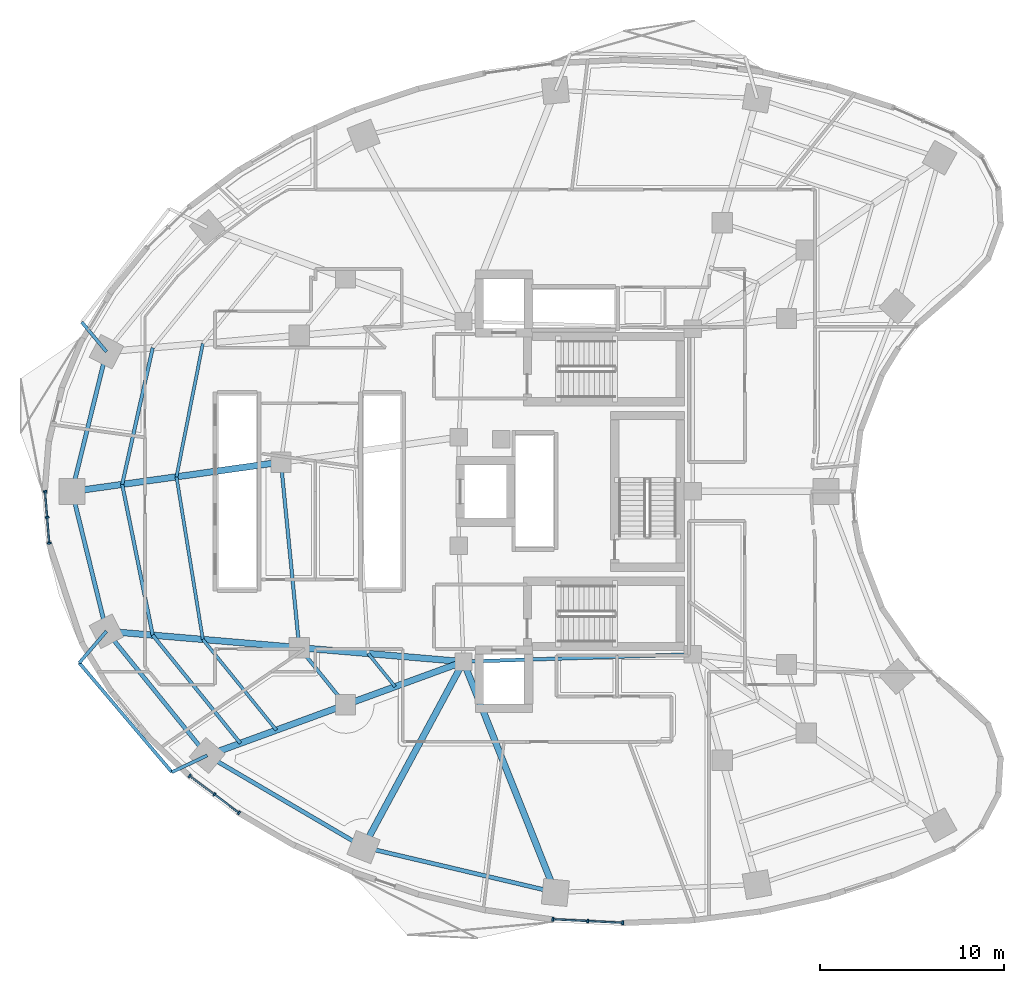
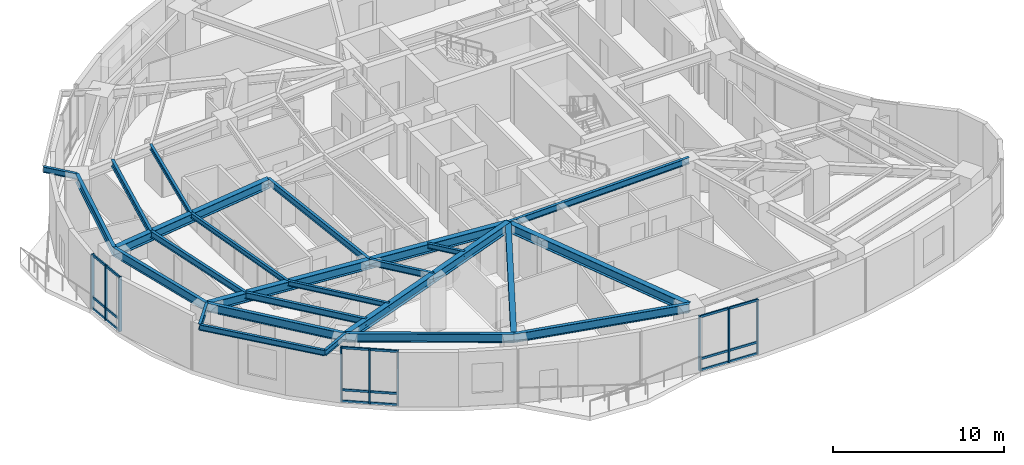
# One storey, part 2 of 16: 27 members, 26 beams, 3 elements without a shape of their own.
"""IFC4 building model written with IfcOpenShell, lengths in metres."""

from ifc_helpers import new_model, si_unit, direction, frame, origin, origin_2d, place, context, subcontext, project, spatial, rectangle, i_section, extrude, material, layer, layer_set, material_profile, profile_set, type_object, element, aggregate, save


model = new_model("IFC4")

# Units and contexts
model_context = context("Model", 3, precision=1e-05, world=origin(), true_north=direction((0.0, 1.0)))
body_context = subcontext(model_context, "Body", "Model", "MODEL_VIEW")
ifc_project = project(units=[si_unit("LENGTHUNIT", "METRE"), si_unit("AREAUNIT", "SQUARE_METRE"), si_unit("VOLUMEUNIT", "CUBIC_METRE"), si_unit("PLANEANGLEUNIT", "RADIAN"), si_unit("MASSUNIT", "GRAM", prefix="KILO")], contexts=[model_context])

# Site, building, storey
site_placement = place(None, origin())
site = spatial("IfcSite", under=ifc_project, at=site_placement, CompositionType="ELEMENT")
building_placement = place(site_placement, origin())
building = spatial("IfcBuilding", under=site, at=building_placement, Name="Korentha Bioscience Tower", CompositionType="ELEMENT")
storey_placement = place(building_placement, frame((0.0, 0.0, 59.39990234375)))
storey = spatial("IfcBuildingStorey", under=building, at=storey_placement, Name="L13", CompositionType="ELEMENT", Elevation=59.39990234375)

# Beams
ifc_material_1 = material(Name="Steel S355", Category="steel")
ifc_material_profile_1 = material_profile(ifc_material_1, i_section(OverallWidth=0.18994140625, OverallDepth=0.45703125, WebThickness=0.009033203125, FlangeThickness=0.014404296875, at=origin_2d()), Name="Steel S355")
ifc_profile_set_1 = profile_set([ifc_material_profile_1], Name="Steel S355 (MB-460)")
beam_type_1 = type_object("IfcBeamType", Name="Mid-Ring Tie Girder W460x74", PredefinedType="BEAM", material=ifc_profile_set_1)
beam_1_placement = place(storey_placement, frame((15.1787109375, 28.593505859375, 3.671630859375), z_axis=(0.098243909277, -0.995162365793, 0.0), x_axis=(0.995162365793, 0.098243909277, 0.0)))
element("IfcBeam", 1, at=beam_1_placement, inside=storey, type_object=beam_type_1, Name="L13 Mid-Ring Tie Girder 07", PredefinedType="BEAM", context=body_context, shape_type="SweptSolid", body=[
    extrude(i_section(OverallWidth=0.18994140625, OverallDepth=0.45703125, WebThickness=0.009033203125, FlangeThickness=0.014404296875, at=origin_2d()), origin(), (0.0, 0.0, 1.0), 10.131591796875),
])
beam_2_placement = place(storey_placement, frame((16.174072265625, 18.510986328125, 3.671630859375), z_axis=(0.629790009744, -0.776765436684, 0.0), x_axis=(0.776765436684, 0.629790009744, 0.0)))
element("IfcBeam", 2, at=beam_2_placement, inside=storey, type_object=beam_type_1, Name="L13 Mid-Ring Tie Girder 08", PredefinedType="BEAM", context=body_context, shape_type="SweptSolid", body=[
    extrude(i_section(OverallWidth=0.18994140625, OverallDepth=0.45703125, WebThickness=0.009033203125, FlangeThickness=0.014404296875, at=origin_2d()), origin(), (0.0, 0.0, 1.0), 3.998291015625),
])
beam_3_placement = place(storey_placement, frame((25.10009765625, 17.75, 3.671630859375), z_axis=(0.999484526071, 0.032104238723, 0.0), x_axis=(-0.032104238723, 0.999484526071, 0.0)))
element("IfcBeam", 3, at=beam_3_placement, inside=storey, type_object=beam_type_1, Name="L13 Core Ring Tie Girder 05", PredefinedType="BEAM", context=body_context, shape_type="SweptSolid", body=[
    extrude(i_section(OverallWidth=0.18994140625, OverallDepth=0.45703125, WebThickness=0.009033203125, FlangeThickness=0.014404296875, at=origin_2d()), origin(), (0.0, 0.0, 1.0), 12.456298828125),
])

# Curtain wall, members
ifc_material_2 = material(Name="Thermally Broken Aluminium Frame", Category="aluminium")
ifc_layer = layer(ifc_material_2, 0.219970703125, Name="Thermally Broken Aluminium Frame")
ifc_layer_set = layer_set([ifc_layer], Name="Thermally Broken Aluminium Frame (CW-T1)")
curtain_wall_type = type_object("IfcCurtainWallType", Name="Standard Bioscience Lab Unitised Curtain Wall CW-T1", PredefinedType="USERDEFINED", material=ifc_layer_set)
curtain_wall_1_placement = place(storey_placement, origin())
curtain_wall_1 = element("IfcCurtainWall", 4, at=curtain_wall_1_placement, inside=storey, type_object=curtain_wall_type, Name="L13 Curtain Wall 19", ObjectType="UNITISED", PredefinedType="USERDEFINED")
ifc_material_3 = material(Name="Anodised Aluminium 6063-T6", Category="aluminium")
ifc_material_profile_2 = material_profile(ifc_material_3, rectangle(XDim=0.090087890625, YDim=0.199951171875, at=origin_2d()), Name="Anodised Aluminium 6063-T6")
ifc_profile_set_2 = profile_set([ifc_material_profile_2], Name="Anodised Aluminium 6063-T6 (CW-MUL)")
member_type_1 = type_object("IfcMemberType", Name="Mullion RECT 90x200", PredefinedType="MULLION", material=ifc_profile_set_2)
member_1_placement = place(storey_placement, frame((2.35986328125, 27.0078125, 0.0), z_axis=(0.0, 0.0, 1.0), x_axis=(0.080820466375, -0.996728675325, 0.0)))
member_1 = element("IfcMember", 5, at=member_1_placement, type_object=member_type_1, Name="CW-L13-19 Mullion 1", PredefinedType="MULLION", context=body_context, shape_type="SweptSolid", body=[
    extrude(rectangle(XDim=0.090087890625, YDim=0.199951171875, at=origin_2d()), origin(), (0.0, 0.0, 1.0), 3.900146484375),
])
member_2_placement = place(storey_placement, frame((2.474365234375, 25.597412109375, 0.0), z_axis=(0.0, 0.0, 1.0), x_axis=(0.080820466375, -0.996728675325, 0.0)))
member_2 = element("IfcMember", 6, at=member_2_placement, type_object=member_type_1, Name="CW-L13-19 Mullion 2", PredefinedType="MULLION", context=body_context, shape_type="SweptSolid", body=[
    extrude(rectangle(XDim=0.090087890625, YDim=0.199951171875, at=origin_2d()), origin(), (0.0, 0.0, 1.0), 3.900146484375),
])
member_3_placement = place(storey_placement, frame((2.588623046875, 24.187255859375, 0.0), z_axis=(0.0, 0.0, 1.0), x_axis=(0.080820466375, -0.996728675325, 0.0)))
member_3 = element("IfcMember", 7, at=member_3_placement, type_object=member_type_1, Name="CW-L13-19 Mullion 3", PredefinedType="MULLION", context=body_context, shape_type="SweptSolid", body=[
    extrude(rectangle(XDim=0.090087890625, YDim=0.199951171875, at=origin_2d()), origin(), (0.0, 0.0, 1.0), 3.900146484375),
])

curtain_wall_2_placement = place(storey_placement, origin())
curtain_wall_2 = element("IfcCurtainWall", 8, at=curtain_wall_2_placement, inside=storey, type_object=curtain_wall_type, Name="L13 Curtain Wall 25", ObjectType="UNITISED", PredefinedType="USERDEFINED")
member_4_placement = place(storey_placement, frame((10.2216796875, 11.538818359375, 0.0), z_axis=(0.0, 0.0, 1.0), x_axis=(0.800797909614, -0.598934644145, 0.0)))
member_4 = element("IfcMember", 9, at=member_4_placement, type_object=member_type_1, Name="CW-L13-25 Mullion 1", PredefinedType="MULLION", context=body_context, shape_type="SweptSolid", body=[
    extrude(rectangle(XDim=0.090087890625, YDim=0.199951171875, at=origin_2d()), origin(), (0.0, 0.0, 1.0), 3.900146484375),
])
member_5_placement = place(storey_placement, frame((11.5634765625, 10.53515625, 0.0), z_axis=(0.0, 0.0, 1.0), x_axis=(0.800797909614, -0.598934644145, 0.0)))
member_5 = element("IfcMember", 10, at=member_5_placement, type_object=member_type_1, Name="CW-L13-25 Mullion 2", PredefinedType="MULLION", context=body_context, shape_type="SweptSolid", body=[
    extrude(rectangle(XDim=0.090087890625, YDim=0.199951171875, at=origin_2d()), origin(), (0.0, 0.0, 1.0), 3.900146484375),
])
member_6_placement = place(storey_placement, frame((12.9052734375, 9.53173828125, 0.0), z_axis=(0.0, 0.0, 1.0), x_axis=(0.800797909614, -0.598934644145, 0.0)))
member_6 = element("IfcMember", 11, at=member_6_placement, type_object=member_type_1, Name="CW-L13-25 Mullion 3", PredefinedType="MULLION", context=body_context, shape_type="SweptSolid", body=[
    extrude(rectangle(XDim=0.090087890625, YDim=0.199951171875, at=origin_2d()), origin(), (0.0, 0.0, 1.0), 3.900146484375),
])

curtain_wall_3_placement = place(storey_placement, origin())
curtain_wall_3 = element("IfcCurtainWall", 12, at=curtain_wall_3_placement, inside=storey, type_object=curtain_wall_type, Name="L13 Curtain Wall 31", ObjectType="UNITISED", PredefinedType="USERDEFINED")
member_7_placement = place(storey_placement, frame((29.9541015625, 3.75244140625, 0.0), z_axis=(0.0, 0.0, 1.0), x_axis=(0.998730551641, -0.050371472279, 0.0)))
member_7 = element("IfcMember", 13, at=member_7_placement, type_object=member_type_1, Name="CW-L13-31 Mullion 1", PredefinedType="MULLION", context=body_context, shape_type="SweptSolid", body=[
    extrude(rectangle(XDim=0.090087890625, YDim=0.199951171875, at=origin_2d()), origin(), (0.0, 0.0, 1.0), 3.900146484375),
])
member_8_placement = place(storey_placement, frame((31.855224609375, 3.656494140625, 0.0), z_axis=(0.0, 0.0, 1.0), x_axis=(0.998730551641, -0.050371472279, 0.0)))
member_8 = element("IfcMember", 14, at=member_8_placement, type_object=member_type_1, Name="CW-L13-31 Mullion 2", PredefinedType="MULLION", context=body_context, shape_type="SweptSolid", body=[
    extrude(rectangle(XDim=0.090087890625, YDim=0.199951171875, at=origin_2d()), origin(), (0.0, 0.0, 1.0), 3.900146484375),
])
member_9_placement = place(storey_placement, frame((33.75634765625, 3.560791015625, 0.0), z_axis=(0.0, 0.0, 1.0), x_axis=(0.998730551641, -0.050371472279, 0.0)))
member_9 = element("IfcMember", 15, at=member_9_placement, type_object=member_type_1, Name="CW-L13-31 Mullion 3", PredefinedType="MULLION", context=body_context, shape_type="SweptSolid", body=[
    extrude(rectangle(XDim=0.090087890625, YDim=0.199951171875, at=origin_2d()), origin(), (0.0, 0.0, 1.0), 3.900146484375),
])

# Beams
ifc_material_profile_3 = material_profile(ifc_material_1, i_section(OverallWidth=0.22802734375, OverallDepth=0.60791015625, WebThickness=0.01123046875, FlangeThickness=0.017333984375, at=origin_2d()), Name="Steel S355")
ifc_profile_set_3 = profile_set([ifc_material_profile_3], Name="Steel S355 (SB-610)")
beam_type_2 = type_object("IfcBeamType", Name="Perimeter Ring Spandrel Girder W610x113", PredefinedType="SPANDREL", material=ifc_profile_set_3)
beam_4_placement = place(storey_placement, frame((5.69580078125, 34.595703125, 3.59619140625), z_axis=(-0.239119105624, -0.970990243682, 0.0), x_axis=(0.970990243682, -0.239119105624, 0.0)))
element("IfcBeam", 16, at=beam_4_placement, inside=storey, type_object=beam_type_2, Name="L13 Perimeter Spandrel Girder 06", PredefinedType="SPANDREL", context=body_context, shape_type="SweptSolid", body=[
    extrude(i_section(OverallWidth=0.22802734375, OverallDepth=0.60791015625, WebThickness=0.01123046875, FlangeThickness=0.017333984375, at=origin_2d()), origin(), (0.0, 0.0, 1.0), 7.82177734375),
])
beam_5_placement = place(storey_placement, frame((3.825439453125, 27.000732421875, 3.59619140625), z_axis=(0.23907563132, -0.971000948768, 0.0), x_axis=(0.971000948768, 0.23907563132, 0.0)))
element("IfcBeam", 17, at=beam_5_placement, inside=storey, type_object=beam_type_2, Name="L13 Perimeter Spandrel Girder 07", PredefinedType="SPANDREL", context=body_context, shape_type="SweptSolid", body=[
    extrude(i_section(OverallWidth=0.22802734375, OverallDepth=0.60791015625, WebThickness=0.01123046875, FlangeThickness=0.017333984375, at=origin_2d()), origin(), (0.0, 0.0, 1.0), 7.8232421875),
])
beam_6_placement = place(storey_placement, frame((5.69580078125, 19.404296875, 3.59619140625), z_axis=(0.629799210231, -0.776757976974, 0.0), x_axis=(0.776757976974, 0.629799210231, 0.0)))
element("IfcBeam", 18, at=beam_6_placement, inside=storey, type_object=beam_type_2, Name="L13 Perimeter Spandrel Girder 08", PredefinedType="SPANDREL", context=body_context, shape_type="SweptSolid", body=[
    extrude(i_section(OverallWidth=0.22802734375, OverallDepth=0.60791015625, WebThickness=0.01123046875, FlangeThickness=0.017333984375, at=origin_2d()), origin(), (0.0, 0.0, 1.0), 8.69189453125),
])
beam_7_placement = place(storey_placement, frame((11.169921875, 12.65283203125, 3.59619140625), z_axis=(0.862656574181, -0.505790109653, 0.0), x_axis=(0.505790109653, 0.862656574181, 0.0)))
element("IfcBeam", 19, at=beam_7_placement, inside=storey, type_object=beam_type_2, Name="L13 Perimeter Spandrel Girder 09", PredefinedType="SPANDREL", context=body_context, shape_type="SweptSolid", body=[
    extrude(i_section(OverallWidth=0.22802734375, OverallDepth=0.60791015625, WebThickness=0.01123046875, FlangeThickness=0.017333984375, at=origin_2d()), origin(), (0.0, 0.0, 1.0), 9.849365234375),
])
beam_8_placement = place(storey_placement, frame((19.66650390625, 7.671142578125, 3.59619140625), z_axis=(0.973207885376, -0.229926970672, 0.0), x_axis=(0.229926970672, 0.973207885376, 0.0)))
element("IfcBeam", 20, at=beam_8_placement, inside=storey, type_object=beam_type_2, Name="L13 Perimeter Spandrel Girder 10", PredefinedType="SPANDREL", context=body_context, shape_type="SweptSolid", body=[
    extrude(i_section(OverallWidth=0.22802734375, OverallDepth=0.60791015625, WebThickness=0.01123046875, FlangeThickness=0.017333984375, at=origin_2d()), origin(), (0.0, 0.0, 1.0), 10.71484375),
])
ifc_material_profile_4 = material_profile(ifc_material_1, i_section(OverallWidth=0.18994140625, OverallDepth=0.45703125, WebThickness=0.009033203125, FlangeThickness=0.014404296875, at=origin_2d()), Name="Steel S355")
ifc_profile_set_4 = profile_set([ifc_material_profile_4], Name="Steel S355 (RB-460)")
beam_type_3 = type_object("IfcBeamType", Name="Radial Laboratory Beam W460x74", PredefinedType="BEAM", material=ifc_profile_set_4)
beam_9_placement = place(storey_placement, frame((8.21044921875, 34.81005859375, 3.671630859375), z_axis=(-0.218146323162, -0.975916073077, 0.0), x_axis=(0.975916073077, -0.218146323162, 0.0)))
element("IfcBeam", 21, at=beam_9_placement, inside=storey, type_object=beam_type_3, Name="L13 Secondary Floor Beam JSTO-06", PredefinedType="BEAM", context=body_context, shape_type="SweptSolid", body=[
    extrude(i_section(OverallWidth=0.18994140625, OverallDepth=0.45703125, WebThickness=0.009033203125, FlangeThickness=0.014404296875, at=origin_2d()), origin(), (0.0, 0.0, 1.0), 7.6103515625),
])
beam_10_placement = place(storey_placement, frame((6.55029296875, 27.383056640625, 3.671630859375), z_axis=(0.198592296955, -0.980082190222, 0.0), x_axis=(0.980082190222, 0.198592296955, 0.0)))
element("IfcBeam", 22, at=beam_10_placement, inside=storey, type_object=beam_type_3, Name="L13 Secondary Floor Beam JSTO-07", PredefinedType="BEAM", context=body_context, shape_type="SweptSolid", body=[
    extrude(i_section(OverallWidth=0.18994140625, OverallDepth=0.45703125, WebThickness=0.009033203125, FlangeThickness=0.014404296875, at=origin_2d()), origin(), (0.0, 0.0, 1.0), 8.359619140625),
])
beam_11_placement = place(storey_placement, frame((8.21044921875, 19.18994140625, 3.671630859375), z_axis=(0.629797748553, -0.776759162107, 0.0), x_axis=(0.776759162107, 0.629797748553, 0.0)))
element("IfcBeam", 23, at=beam_11_placement, inside=storey, type_object=beam_type_3, Name="L13 Secondary Floor Beam JSTO-08", PredefinedType="BEAM", context=body_context, shape_type="SweptSolid", body=[
    extrude(i_section(OverallWidth=0.18994140625, OverallDepth=0.45703125, WebThickness=0.009033203125, FlangeThickness=0.014404296875, at=origin_2d()), origin(), (0.0, 0.0, 1.0), 7.5654296875),
])
ifc_material_profile_5 = material_profile(ifc_material_1, i_section(OverallWidth=0.35009765625, OverallDepth=0.64990234375, WebThickness=0.01611328125, FlangeThickness=0.02490234375, at=origin_2d()), Name="Steel S355")
ifc_profile_set_5 = profile_set([ifc_material_profile_5], Name="Steel S355 (RB-650)")
beam_type_4 = type_object("IfcBeamType", Name="Radial Laboratory Girder CVS 650x208", PredefinedType="BEAM", material=ifc_profile_set_5)
beam_12_placement = place(storey_placement, frame((15.1787109375, 28.593505859375, 3.5751953125), z_axis=(-0.99030199745, -0.138931471762, 0.0), x_axis=(0.138931471762, -0.99030199745, 0.0)))
element("IfcBeam", 24, at=beam_12_placement, inside=storey, type_object=beam_type_4, Name="L13 Outer Radial Girder 07", PredefinedType="BEAM", context=body_context, shape_type="SweptSolid", body=[
    extrude(i_section(OverallWidth=0.35009765625, OverallDepth=0.64990234375, WebThickness=0.01611328125, FlangeThickness=0.02490234375, at=origin_2d()), origin(), (0.0, 0.0, 1.0), 11.46435546875),
])
beam_13_placement = place(storey_placement, frame((25.10009765625, 17.75, 3.5751953125), z_axis=(-0.996385503026, 0.08494662654, 0.0), x_axis=(-0.08494662654, -0.996385503026, 0.0)))
element("IfcBeam", 25, at=beam_13_placement, inside=storey, type_object=beam_type_4, Name="L13 Inner Radial Girder 08", PredefinedType="BEAM", context=body_context, shape_type="SweptSolid", body=[
    extrude(i_section(OverallWidth=0.35009765625, OverallDepth=0.64990234375, WebThickness=0.01611328125, FlangeThickness=0.02490234375, at=origin_2d()), origin(), (0.0, 0.0, 1.0), 8.95849609375),
])
beam_14_placement = place(storey_placement, frame((16.174072265625, 18.510986328125, 3.5751953125), z_axis=(-0.996385601055, 0.084945476695, 0.0), x_axis=(-0.084945476695, -0.996385601055, 0.0)))
element("IfcBeam", 26, at=beam_14_placement, inside=storey, type_object=beam_type_4, Name="L13 Outer Radial Girder 08", PredefinedType="BEAM", context=body_context, shape_type="SweptSolid", body=[
    extrude(i_section(OverallWidth=0.35009765625, OverallDepth=0.64990234375, WebThickness=0.01611328125, FlangeThickness=0.02490234375, at=origin_2d()), origin(), (0.0, 0.0, 1.0), 10.516357421875),
])
beam_15_placement = place(storey_placement, frame((25.10009765625, 17.75, 3.5751953125), z_axis=(-0.939106237741, -0.343626940498, 0.0), x_axis=(0.343626940498, -0.939106237741, 0.0)))
element("IfcBeam", 27, at=beam_15_placement, inside=storey, type_object=beam_type_4, Name="L13 Inner Radial Girder 09", PredefinedType="BEAM", context=body_context, shape_type="SweptSolid", body=[
    extrude(i_section(OverallWidth=0.35009765625, OverallDepth=0.64990234375, WebThickness=0.01611328125, FlangeThickness=0.02490234375, at=origin_2d()), origin(), (0.0, 0.0, 1.0), 6.823486328125),
])
beam_16_placement = place(storey_placement, frame((18.692138671875, 15.4052734375, 3.5751953125), z_axis=(-0.939106299948, -0.343626770491, 0.0), x_axis=(0.343626770491, -0.939106299948, 0.0)))
element("IfcBeam", 28, at=beam_16_placement, inside=storey, type_object=beam_type_4, Name="L13 Outer Radial Girder 09", PredefinedType="BEAM", context=body_context, shape_type="SweptSolid", body=[
    extrude(i_section(OverallWidth=0.35009765625, OverallDepth=0.64990234375, WebThickness=0.01611328125, FlangeThickness=0.02490234375, at=origin_2d()), origin(), (0.0, 0.0, 1.0), 8.010009765625),
])
beam_17_placement = place(storey_placement, frame((25.10009765625, 17.75, 3.5751953125), z_axis=(-0.47454097106, -0.880233416081, 0.0), x_axis=(0.880233416081, -0.47454097106, 0.0)))
element("IfcBeam", 29, at=beam_17_placement, inside=storey, type_object=beam_type_4, Name="L13 Radial Girder 10", PredefinedType="BEAM", context=body_context, shape_type="SweptSolid", body=[
    extrude(i_section(OverallWidth=0.35009765625, OverallDepth=0.64990234375, WebThickness=0.01611328125, FlangeThickness=0.02490234375, at=origin_2d()), origin(), (0.0, 0.0, 1.0), 11.4501953125),
])
beam_18_placement = place(storey_placement, frame((25.10009765625, 17.75, 3.5751953125), z_axis=(0.369931007413, -0.929059228335, 0.0), x_axis=(0.929059228335, 0.369931007413, 0.0)))
element("IfcBeam", 30, at=beam_18_placement, inside=storey, type_object=beam_type_4, Name="L13 Radial Girder 11", PredefinedType="BEAM", context=body_context, shape_type="SweptSolid", body=[
    extrude(i_section(OverallWidth=0.35009765625, OverallDepth=0.64990234375, WebThickness=0.01611328125, FlangeThickness=0.02490234375, at=origin_2d()), origin(), (0.0, 0.0, 1.0), 13.500244140625),
])
ifc_material_profile_6 = material_profile(ifc_material_1, i_section(OverallWidth=0.1708984375, OverallDepth=0.35498046875, WebThickness=0.007080078125, FlangeThickness=0.01171875, at=origin_2d()), Name="Steel S355")
ifc_profile_set_6 = profile_set([ifc_material_profile_6], Name="Steel S355 (JB-360)")
beam_type_5 = type_object("IfcBeamType", Name="Secondary Laboratory Joist W360x51", PredefinedType="JOIST", material=ifc_profile_set_6)
beam_19_placement = place(storey_placement, frame((10.934814453125, 35.042236328125, 3.72265625), z_axis=(-0.193979665978, -0.981005550029, 0.0), x_axis=(0.981005550029, -0.193979665978, 0.0)))
element("IfcBeam", 31, at=beam_19_placement, inside=storey, type_object=beam_type_5, Name="L13 Secondary Floor Beam JST-06", PredefinedType="JOIST", context=body_context, shape_type="SweptSolid", body=[
    extrude(i_section(OverallWidth=0.1708984375, OverallDepth=0.35498046875, WebThickness=0.007080078125, FlangeThickness=0.01171875, at=origin_2d()), origin(), (0.0, 0.0, 1.0), 7.385498046875),
])
beam_20_placement = place(storey_placement, frame((9.502197265625, 27.797119140625, 3.72265625), z_axis=(0.159984999905, -0.987119445561, 0.0), x_axis=(0.987119445561, 0.159984999905, 0.0)))
element("IfcBeam", 32, at=beam_20_placement, inside=storey, type_object=beam_type_5, Name="L13 Secondary Floor Beam JST-07", PredefinedType="JOIST", context=body_context, shape_type="SweptSolid", body=[
    extrude(i_section(OverallWidth=0.1708984375, OverallDepth=0.35498046875, WebThickness=0.007080078125, FlangeThickness=0.01171875, at=origin_2d()), origin(), (0.0, 0.0, 1.0), 8.95458984375),
])
beam_21_placement = place(storey_placement, frame((10.934814453125, 18.957763671875, 3.72265625), z_axis=(0.629786899984, -0.776767958021, 0.0), x_axis=(0.776767958021, 0.629786899984, 0.0)))
element("IfcBeam", 33, at=beam_21_placement, inside=storey, type_object=beam_type_5, Name="L13 Secondary Floor Beam JST-08", PredefinedType="JOIST", context=body_context, shape_type="SweptSolid", body=[
    extrude(i_section(OverallWidth=0.1708984375, OverallDepth=0.35498046875, WebThickness=0.007080078125, FlangeThickness=0.01171875, at=origin_2d()), origin(), (0.0, 0.0, 1.0), 6.34521484375),
])
beam_22_placement = place(storey_placement, frame((19.9228515625, 18.19140625, 3.72265625), z_axis=(0.629791657613, -0.776764100613, 0.0), x_axis=(0.776764100613, 0.629791657613, 0.0)))
element("IfcBeam", 34, at=beam_22_placement, inside=storey, type_object=beam_type_5, Name="L13 Inner Bay Joist 08", PredefinedType="JOIST", context=body_context, shape_type="SweptSolid", body=[
    extrude(i_section(OverallWidth=0.1708984375, OverallDepth=0.35498046875, WebThickness=0.007080078125, FlangeThickness=0.01171875, at=origin_2d()), origin(), (0.0, 0.0, 1.0), 2.31884765625),
])
ifc_material_profile_7 = material_profile(ifc_material_1, i_section(OverallWidth=0.177978515625, OverallDepth=0.406982421875, WebThickness=0.0078125, FlangeThickness=0.0126953125, at=origin_2d()), Name="Steel S355")
ifc_profile_set_7 = profile_set([ifc_material_profile_7], Name="Steel S355 (CB-410)")
beam_type_6 = type_object("IfcBeamType", Name="Sun-Ledge Cantilever Beam W410x60", PredefinedType="BEAM", material=ifc_profile_set_7)
beam_23_placement = place(storey_placement, frame((5.69580078125, 34.595703125, 3.698486328125), z_axis=(-0.640333447696, 0.768097048401, 0.0), x_axis=(-0.768097048401, -0.640333447696, 0.0)))
element("IfcBeam", 35, at=beam_23_placement, inside=storey, type_object=beam_type_6, Name="L13 Balcony Cantilever Bracket B-L14-02", PredefinedType="BEAM", context=body_context, shape_type="SweptSolid", body=[
    extrude(i_section(OverallWidth=0.177978515625, OverallDepth=0.406982421875, WebThickness=0.0078125, FlangeThickness=0.0126953125, at=origin_2d()), origin(), (0.0, 0.0, 1.0), 2.09423828125),
])
beam_24_placement = place(storey_placement, frame((5.69580078125, 19.404296875, 3.698486328125), z_axis=(-0.651766743288, -0.758419483099, 0.0), x_axis=(0.758419483099, -0.651766743288, 0.0)))
element("IfcBeam", 36, at=beam_24_placement, inside=storey, type_object=beam_type_6, Name="L13 Balcony Cantilever Bracket A-L14-03", PredefinedType="BEAM", context=body_context, shape_type="SweptSolid", body=[
    extrude(i_section(OverallWidth=0.177978515625, OverallDepth=0.406982421875, WebThickness=0.0078125, FlangeThickness=0.0126953125, at=origin_2d()), origin(), (0.0, 0.0, 1.0), 2.26611328125),
])
beam_25_placement = place(storey_placement, frame((11.169921875, 12.65283203125, 3.698486328125), z_axis=(-0.903735494396, -0.428091294199, 0.0), x_axis=(0.428091294199, -0.903735494396, 0.0)))
element("IfcBeam", 37, at=beam_25_placement, inside=storey, type_object=beam_type_6, Name="L13 Balcony Cantilever Bracket B-L14-03", PredefinedType="BEAM", context=body_context, shape_type="SweptSolid", body=[
    extrude(i_section(OverallWidth=0.177978515625, OverallDepth=0.406982421875, WebThickness=0.0078125, FlangeThickness=0.0126953125, at=origin_2d()), origin(), (0.0, 0.0, 1.0), 2.120361328125),
])
beam_26_placement = place(storey_placement, frame((4.21875, 17.685546875, 3.698486328125), z_axis=(0.646570249962, -0.762854449987, 0.0), x_axis=(0.762854449987, 0.646570249962, 0.0)))
element("IfcBeam", 38, at=beam_26_placement, inside=storey, type_object=beam_type_6, Name="L13 Balcony Edge Trimmer Beam L14-03", PredefinedType="BEAM", context=body_context, shape_type="SweptSolid", body=[
    extrude(i_section(OverallWidth=0.177978515625, OverallDepth=0.406982421875, WebThickness=0.0078125, FlangeThickness=0.0126953125, at=origin_2d()), origin(), (0.0, 0.0, 1.0), 7.787109375),
])

# Member
ifc_material_profile_8 = material_profile(ifc_material_3, rectangle(XDim=0.090087890625, YDim=0.159912109375, at=origin_2d()), Name="Anodised Aluminium 6063-T6")
ifc_profile_set_8 = profile_set([ifc_material_profile_8], Name="Anodised Aluminium 6063-T6 (CW-TRN)")
member_type_2 = type_object("IfcMemberType", Name="Transom RECT 90x160", PredefinedType="USERDEFINED", material=ifc_profile_set_8)
member_10_placement = place(storey_placement, frame((2.363525390625, 26.963134765625, 0.045166015625), z_axis=(0.080880177847, -0.996723831777, 0.0), x_axis=(0.996723831777, 0.080880177847, 0.0)))
member_10 = element("IfcMember", 39, at=member_10_placement, type_object=member_type_2, Name="CW-L13-19 Bay 1 Transom 1", ObjectType="TRANSOM", PredefinedType="USERDEFINED", context=body_context, shape_type="SweptSolid", body=[
    extrude(rectangle(XDim=0.090087890625, YDim=0.159912109375, at=origin_2d()), origin(), (0.0, 0.0, 1.0), 1.3251953125),
])

member_11_placement = place(storey_placement, frame((2.363525390625, 26.963134765625, 0.85009765625), z_axis=(0.080880177847, -0.996723831777, 0.0), x_axis=(0.996723831777, 0.080880177847, 0.0)))
member_11 = element("IfcMember", 40, at=member_11_placement, type_object=member_type_2, Name="CW-L13-19 Bay 1 Transom 2", ObjectType="TRANSOM", PredefinedType="USERDEFINED", context=body_context, shape_type="SweptSolid", body=[
    extrude(rectangle(XDim=0.090087890625, YDim=0.159912109375, at=origin_2d()), origin(), (0.0, 0.0, 1.0), 1.3251953125),
])

member_12_placement = place(storey_placement, frame((2.363525390625, 26.963134765625, 3.85498046875), z_axis=(0.080880177847, -0.996723831777, 0.0), x_axis=(0.996723831777, 0.080880177847, 0.0)))
member_12 = element("IfcMember", 41, at=member_12_placement, type_object=member_type_2, Name="CW-L13-19 Bay 1 Transom 3", ObjectType="TRANSOM", PredefinedType="USERDEFINED", context=body_context, shape_type="SweptSolid", body=[
    extrude(rectangle(XDim=0.090087890625, YDim=0.159912109375, at=origin_2d()), origin(), (0.0, 0.0, 1.0), 1.3251953125),
])

member_13_placement = place(storey_placement, frame((2.477783203125, 25.552734375, 0.045166015625), z_axis=(0.080880177847, -0.996723831777, 0.0), x_axis=(0.996723831777, 0.080880177847, 0.0)))
member_13 = element("IfcMember", 42, at=member_13_placement, type_object=member_type_2, Name="CW-L13-19 Bay 2 Transom 1", ObjectType="TRANSOM", PredefinedType="USERDEFINED", context=body_context, shape_type="SweptSolid", body=[
    extrude(rectangle(XDim=0.090087890625, YDim=0.159912109375, at=origin_2d()), origin(), (0.0, 0.0, 1.0), 1.3251953125),
])

member_14_placement = place(storey_placement, frame((2.477783203125, 25.552734375, 0.85009765625), z_axis=(0.080880177847, -0.996723831777, 0.0), x_axis=(0.996723831777, 0.080880177847, 0.0)))
member_14 = element("IfcMember", 43, at=member_14_placement, type_object=member_type_2, Name="CW-L13-19 Bay 2 Transom 2", ObjectType="TRANSOM", PredefinedType="USERDEFINED", context=body_context, shape_type="SweptSolid", body=[
    extrude(rectangle(XDim=0.090087890625, YDim=0.159912109375, at=origin_2d()), origin(), (0.0, 0.0, 1.0), 1.3251953125),
])

member_15_placement = place(storey_placement, frame((2.477783203125, 25.552734375, 3.85498046875), z_axis=(0.080880177847, -0.996723831777, 0.0), x_axis=(0.996723831777, 0.080880177847, 0.0)))
member_15 = element("IfcMember", 44, at=member_15_placement, type_object=member_type_2, Name="CW-L13-19 Bay 2 Transom 3", ObjectType="TRANSOM", PredefinedType="USERDEFINED", context=body_context, shape_type="SweptSolid", body=[
    extrude(rectangle(XDim=0.090087890625, YDim=0.159912109375, at=origin_2d()), origin(), (0.0, 0.0, 1.0), 1.3251953125),
])

aggregate(curtain_wall_1, [member_1, member_2, member_3, member_10, member_11, member_12, member_13, member_14, member_15])

member_16_placement = place(storey_placement, frame((10.2578125, 11.51171875, 0.045166015625), z_axis=(0.8008676283, -0.598841416354, 0.0), x_axis=(0.598841416354, 0.8008676283, 0.0)))
member_16 = element("IfcMember", 45, at=member_16_placement, type_object=member_type_2, Name="CW-L13-25 Bay 1 Transom 1", ObjectType="TRANSOM", PredefinedType="USERDEFINED", context=body_context, shape_type="SweptSolid", body=[
    extrude(rectangle(XDim=0.090087890625, YDim=0.159912109375, at=origin_2d()), origin(), (0.0, 0.0, 1.0), 1.58544921875),
])

member_17_placement = place(storey_placement, frame((10.2578125, 11.51171875, 0.85009765625), z_axis=(0.8008676283, -0.598841416354, 0.0), x_axis=(0.598841416354, 0.8008676283, 0.0)))
member_17 = element("IfcMember", 46, at=member_17_placement, type_object=member_type_2, Name="CW-L13-25 Bay 1 Transom 2", ObjectType="TRANSOM", PredefinedType="USERDEFINED", context=body_context, shape_type="SweptSolid", body=[
    extrude(rectangle(XDim=0.090087890625, YDim=0.159912109375, at=origin_2d()), origin(), (0.0, 0.0, 1.0), 1.58544921875),
])

member_18_placement = place(storey_placement, frame((10.2578125, 11.51171875, 3.85498046875), z_axis=(0.8008676283, -0.598841416354, 0.0), x_axis=(0.598841416354, 0.8008676283, 0.0)))
member_18 = element("IfcMember", 47, at=member_18_placement, type_object=member_type_2, Name="CW-L13-25 Bay 1 Transom 3", ObjectType="TRANSOM", PredefinedType="USERDEFINED", context=body_context, shape_type="SweptSolid", body=[
    extrude(rectangle(XDim=0.090087890625, YDim=0.159912109375, at=origin_2d()), origin(), (0.0, 0.0, 1.0), 1.58544921875),
])

member_19_placement = place(storey_placement, frame((11.599609375, 10.50830078125, 0.045166015625), z_axis=(0.800738536228, -0.59901402037, 0.0), x_axis=(0.59901402037, 0.800738536228, 0.0)))
member_19 = element("IfcMember", 48, at=member_19_placement, type_object=member_type_2, Name="CW-L13-25 Bay 2 Transom 1", ObjectType="TRANSOM", PredefinedType="USERDEFINED", context=body_context, shape_type="SweptSolid", body=[
    extrude(rectangle(XDim=0.090087890625, YDim=0.159912109375, at=origin_2d()), origin(), (0.0, 0.0, 1.0), 1.58544921875),
])

member_20_placement = place(storey_placement, frame((11.599609375, 10.50830078125, 0.85009765625), z_axis=(0.800738536228, -0.59901402037, 0.0), x_axis=(0.59901402037, 0.800738536228, 0.0)))
member_20 = element("IfcMember", 49, at=member_20_placement, type_object=member_type_2, Name="CW-L13-25 Bay 2 Transom 2", ObjectType="TRANSOM", PredefinedType="USERDEFINED", context=body_context, shape_type="SweptSolid", body=[
    extrude(rectangle(XDim=0.090087890625, YDim=0.159912109375, at=origin_2d()), origin(), (0.0, 0.0, 1.0), 1.58544921875),
])

member_21_placement = place(storey_placement, frame((11.599609375, 10.50830078125, 3.85498046875), z_axis=(0.800738536228, -0.59901402037, 0.0), x_axis=(0.59901402037, 0.800738536228, 0.0)))
member_21 = element("IfcMember", 50, at=member_21_placement, type_object=member_type_2, Name="CW-L13-25 Bay 2 Transom 3", ObjectType="TRANSOM", PredefinedType="USERDEFINED", context=body_context, shape_type="SweptSolid", body=[
    extrude(rectangle(XDim=0.090087890625, YDim=0.159912109375, at=origin_2d()), origin(), (0.0, 0.0, 1.0), 1.58544921875),
])

aggregate(curtain_wall_2, [member_4, member_5, member_6, member_16, member_17, member_18, member_19, member_20, member_21])

member_22_placement = place(storey_placement, frame((29.9990234375, 3.750244140625, 0.045166015625), z_axis=(0.998731776836, -0.050347174085, 0.0), x_axis=(0.050347174085, 0.998731776836, 0.0)))
member_22 = element("IfcMember", 51, at=member_22_placement, type_object=member_type_2, Name="CW-L13-31 Bay 1 Transom 1", ObjectType="TRANSOM", PredefinedType="USERDEFINED", context=body_context, shape_type="SweptSolid", body=[
    extrude(rectangle(XDim=0.090087890625, YDim=0.159912109375, at=origin_2d()), origin(), (0.0, 0.0, 1.0), 1.8134765625),
])

member_23_placement = place(storey_placement, frame((29.9990234375, 3.750244140625, 0.85009765625), z_axis=(0.998731776836, -0.050347174085, 0.0), x_axis=(0.050347174085, 0.998731776836, 0.0)))
member_23 = element("IfcMember", 52, at=member_23_placement, type_object=member_type_2, Name="CW-L13-31 Bay 1 Transom 2", ObjectType="TRANSOM", PredefinedType="USERDEFINED", context=body_context, shape_type="SweptSolid", body=[
    extrude(rectangle(XDim=0.090087890625, YDim=0.159912109375, at=origin_2d()), origin(), (0.0, 0.0, 1.0), 1.8134765625),
])

member_24_placement = place(storey_placement, frame((29.9990234375, 3.750244140625, 3.85498046875), z_axis=(0.998731776836, -0.050347174085, 0.0), x_axis=(0.050347174085, 0.998731776836, 0.0)))
member_24 = element("IfcMember", 53, at=member_24_placement, type_object=member_type_2, Name="CW-L13-31 Bay 1 Transom 3", ObjectType="TRANSOM", PredefinedType="USERDEFINED", context=body_context, shape_type="SweptSolid", body=[
    extrude(rectangle(XDim=0.090087890625, YDim=0.159912109375, at=origin_2d()), origin(), (0.0, 0.0, 1.0), 1.8134765625),
])

member_25_placement = place(storey_placement, frame((31.900146484375, 3.654296875, 0.045166015625), z_axis=(0.998731776836, -0.050347174085, 0.0), x_axis=(0.050347174085, 0.998731776836, 0.0)))
member_25 = element("IfcMember", 54, at=member_25_placement, type_object=member_type_2, Name="CW-L13-31 Bay 2 Transom 1", ObjectType="TRANSOM", PredefinedType="USERDEFINED", context=body_context, shape_type="SweptSolid", body=[
    extrude(rectangle(XDim=0.090087890625, YDim=0.159912109375, at=origin_2d()), origin(), (0.0, 0.0, 1.0), 1.8134765625),
])

member_26_placement = place(storey_placement, frame((31.900146484375, 3.654296875, 0.85009765625), z_axis=(0.998731776836, -0.050347174085, 0.0), x_axis=(0.050347174085, 0.998731776836, 0.0)))
member_26 = element("IfcMember", 55, at=member_26_placement, type_object=member_type_2, Name="CW-L13-31 Bay 2 Transom 2", ObjectType="TRANSOM", PredefinedType="USERDEFINED", context=body_context, shape_type="SweptSolid", body=[
    extrude(rectangle(XDim=0.090087890625, YDim=0.159912109375, at=origin_2d()), origin(), (0.0, 0.0, 1.0), 1.8134765625),
])

member_27_placement = place(storey_placement, frame((31.900146484375, 3.654296875, 3.85498046875), z_axis=(0.998731776836, -0.050347174085, 0.0), x_axis=(0.050347174085, 0.998731776836, 0.0)))
member_27 = element("IfcMember", 56, at=member_27_placement, type_object=member_type_2, Name="CW-L13-31 Bay 2 Transom 3", ObjectType="TRANSOM", PredefinedType="USERDEFINED", context=body_context, shape_type="SweptSolid", body=[
    extrude(rectangle(XDim=0.090087890625, YDim=0.159912109375, at=origin_2d()), origin(), (0.0, 0.0, 1.0), 1.8134765625),
])

aggregate(curtain_wall_3, [member_7, member_8, member_9, member_22, member_23, member_24, member_25, member_26, member_27])

save(model, "model.ifc")
